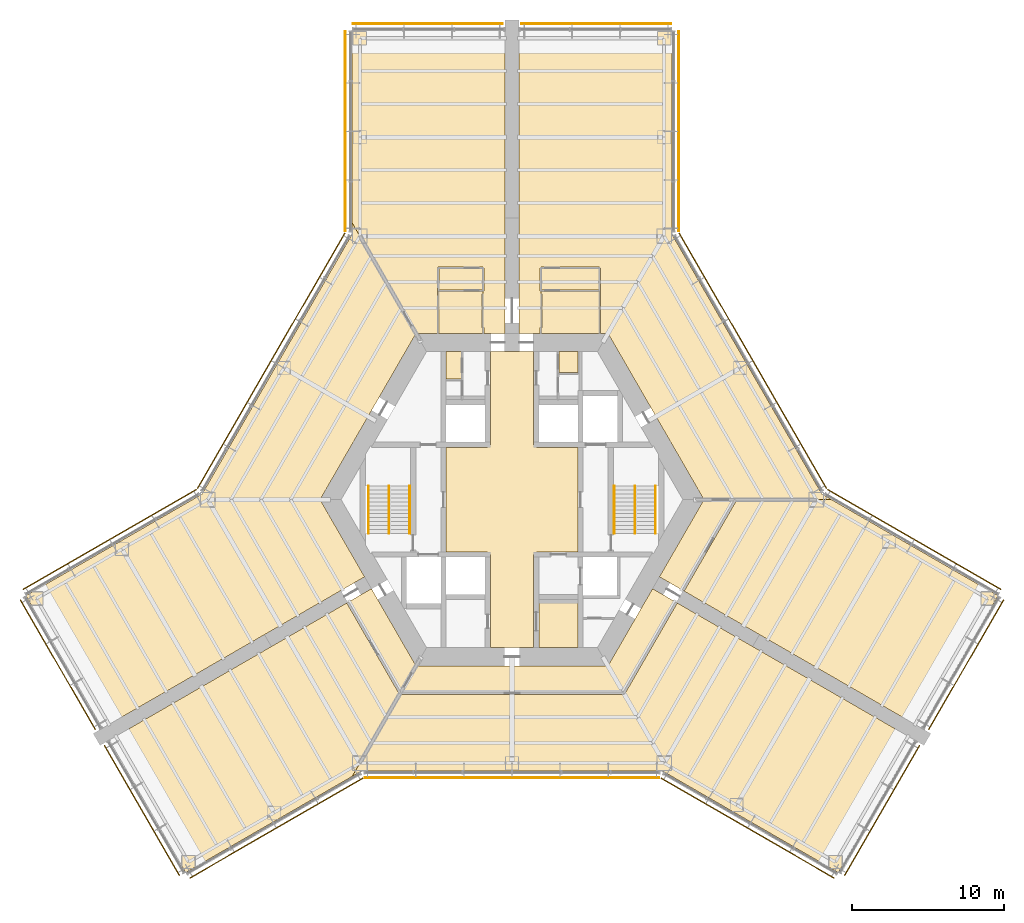
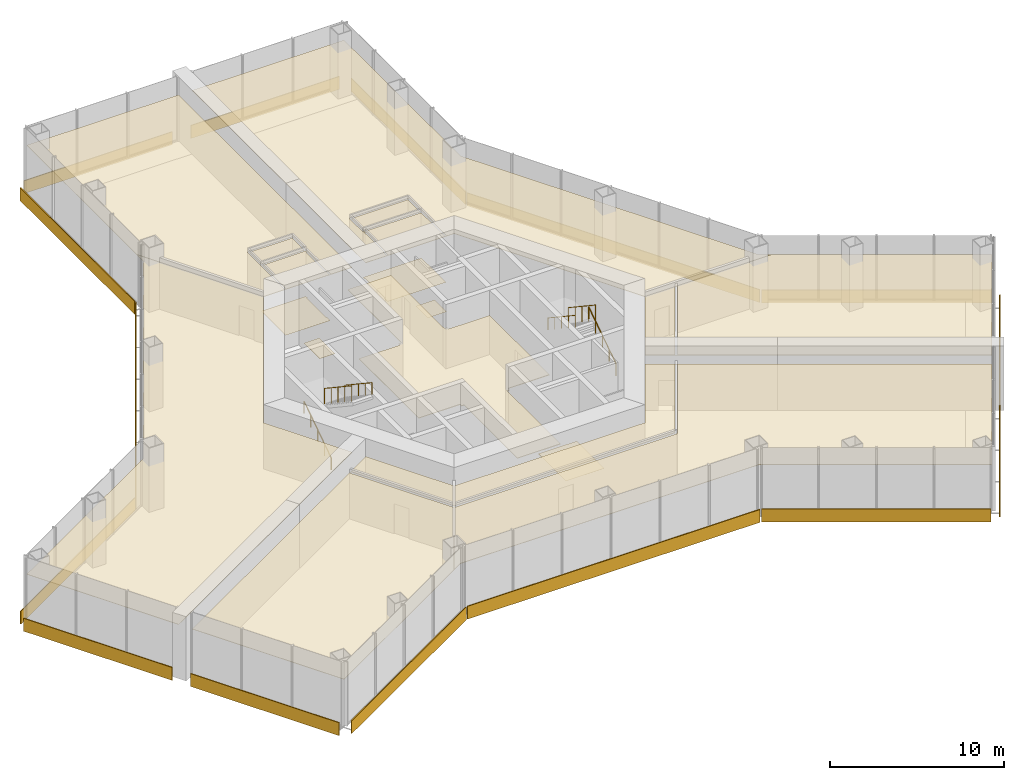
# One storey, part 13 of 13: 19 coverings, 15 shading devices, 6 railings.
"""IFC4 building model written with IfcOpenShell, lengths in metres."""

from ifc_helpers import new_model, si_unit, direction, frame, origin, origin_2d, place, context, subcontext, project, spatial, polyline, rectangle, circle, outline, extrude, material, layer, layer_set, type_object, element, save


model = new_model("IFC4")

# Units and contexts
model_context = context("Model", 3, precision=1e-05, world=origin(), true_north=direction((0.0, 1.0)))
body_context = subcontext(model_context, "Body", "Model", "MODEL_VIEW")
ifc_project = project(units=[si_unit("LENGTHUNIT", "METRE"), si_unit("AREAUNIT", "SQUARE_METRE"), si_unit("VOLUMEUNIT", "CUBIC_METRE"), si_unit("PLANEANGLEUNIT", "RADIAN"), si_unit("MASSUNIT", "GRAM", prefix="KILO")], contexts=[model_context])

# Site, building, storey
site_placement = place(None, origin())
site = spatial("IfcSite", under=ifc_project, at=site_placement, CompositionType="ELEMENT")
building_placement = place(site_placement, origin())
building = spatial("IfcBuilding", under=site, at=building_placement, Name="Kasaneha Research Tower", CompositionType="ELEMENT")
storey_placement = place(building_placement, frame((0.0, 0.0, 5.5)))
storey = spatial("IfcBuildingStorey", under=building, at=storey_placement, Name="L02", CompositionType="ELEMENT", Elevation=5.5)

# Coverings
ifc_material_1 = material(Name="Perforated aluminium acoustic ceiling", Category="aluminium")
ifc_layer_1 = layer(ifc_material_1, 0.030029296875)
ifc_layer_set_1 = layer_set([ifc_layer_1], Name="Acoustic ceiling 30")
covering_type_1 = type_object("IfcCoveringType", Name="Acoustic ceiling 30", PredefinedType="CEILING", material=ifc_layer_set_1)
covering_1_placement = place(storey_placement, frame((0.0, 0.0, 3.199951171875)))
element("IfcCovering", 1, at=covering_1_placement, inside=storey, type_object=covering_type_1, Name="Ceiling L02-28", PredefinedType="CEILING", context=body_context, shape_type="SweptSolid", body=[
    extrude(outline(polyline([(1.89990234375, 10.925048828125), (1.89990234375, 10.945068359375), (1.949951171875, 10.945068359375), (1.949951171875, 11.324951171875), (2.0, 11.324951171875), (2.0, 13.52490234375), (1.949951171875, 13.52490234375), (1.89990234375, 13.52490234375), (1.89990234375, 13.669921875), (5.702392578125, 13.669921875), (5.70703125, 10.94482421875), (5.757080078125, 10.945068359375), (5.757080078125, 10.925048828125), (1.89990234375, 10.925048828125)])), origin(), (0.0, 0.0, 1.0), 0.030029296875),
])
covering_2_placement = place(storey_placement, frame((0.0, 0.0, 3.199951171875)))
element("IfcCovering", 2, at=covering_2_placement, inside=storey, type_object=covering_type_1, Name="Ceiling L02-29", PredefinedType="CEILING", context=body_context, shape_type="SweptSolid", body=[
    extrude(outline(polyline([(5.706787109375, 15.175048828125), (5.702392578125, 13.77001953125), (1.954345703125, 13.77001953125), (1.9501953125, 15.175048828125), (5.706787109375, 15.175048828125)])), origin(), (0.0, 0.0, 1.0), 0.030029296875),
])
covering_3_placement = place(storey_placement, frame((0.0, 0.0, 3.199951171875)))
element("IfcCovering", 3, at=covering_3_placement, inside=storey, type_object=covering_type_1, Name="Ceiling L02-30", PredefinedType="CEILING", context=body_context, shape_type="SweptSolid", body=[
    extrude(outline(polyline([(14.6474609375, 0.0), (14.616943359375, 0.017578125), (14.60693359375, 0.0), (12.614990234375, 0.0), (6.3076171875, 10.925048828125), (5.757568359375, 10.925048828125), (5.757568359375, 10.945068359375), (5.806884765625, 10.945068359375), (5.80224609375, 13.724853515625), (5.806884765625, 15.224853515625), (5.75732421875, 15.22509765625), (5.75732421875, 15.225341796875), (5.757080078125, 15.225341796875), (5.757080078125, 15.27490234375), (1.89990234375, 15.27490234375), (1.89990234375, 15.225341796875), (1.899658203125, 15.225341796875), (1.899658203125, 15.22509765625), (1.85009765625, 15.224853515625), (1.8544921875, 13.724853515625), (1.8994140625, 13.72509765625), (1.8994140625, 13.52490234375), (1.89990234375, 13.52490234375), (1.89990234375, 11.324951171875), (1.8994140625, 11.324951171875), (1.8994140625, 11.324951171875), (1.85009765625, 11.324951171875), (1.85009765625, 10.945068359375), (1.8994140625, 10.945068359375), (1.8994140625, 10.925048828125), (0.449951171875, 10.925048828125), (0.449951171875, 11.625), (0.449951171875, 13.22509765625), (0.449951171875, 30.820556640625), (10.5, 30.820556640625), (10.5, 17.45458984375), (20.365966796875, 0.365966796875), (21.0, 0.0), (14.6474609375, 0.0)])), origin(), (0.0, 0.0, 1.0), 0.030029296875),
])
covering_4_placement = place(storey_placement, frame((0.0, 0.0, 3.199951171875)))
element("IfcCovering", 4, at=covering_4_placement, inside=storey, type_object=covering_type_1, Name="Ceiling L02-31", PredefinedType="CEILING", context=body_context, shape_type="SweptSolid", body=[
    extrude(outline(polyline([(-1.949951171875, 13.52490234375), (-2.0, 13.52490234375), (-2.0, 11.324951171875), (-1.949951171875, 11.324951171875), (-1.949951171875, 10.945068359375), (-1.89990234375, 10.945068359375), (-1.89990234375, 10.925048828125), (-4.85009765625, 10.925048828125), (-4.85009765625, 10.945068359375), (-4.800048828125, 10.94482421875), (-4.79541015625, 13.669921875), (-1.89990234375, 13.669921875), (-1.89990234375, 13.52490234375), (-1.949951171875, 13.52490234375)])), origin(), (0.0, 0.0, 1.0), 0.030029296875),
])
covering_5_placement = place(storey_placement, frame((0.0, 0.0, 3.199951171875)))
element("IfcCovering", 5, at=covering_5_placement, inside=storey, type_object=covering_type_1, Name="Ceiling L02-32", PredefinedType="CEILING", context=body_context, shape_type="SweptSolid", body=[
    extrude(outline(polyline([(-4.7998046875, 15.175048828125), (-1.9501953125, 15.175048828125), (-1.954345703125, 13.77001953125), (-4.79541015625, 13.77001953125), (-4.7998046875, 15.175048828125)])), origin(), (0.0, 0.0, 1.0), 0.030029296875),
])
covering_6_placement = place(storey_placement, frame((0.0, 0.0, 3.199951171875)))
element("IfcCovering", 6, at=covering_6_placement, inside=storey, type_object=covering_type_1, Name="Ceiling L02-33", PredefinedType="CEILING", context=body_context, shape_type="SweptSolid", body=[
    extrude(outline(polyline([(-1.8994140625, 10.925048828125), (-1.8994140625, 10.945068359375), (-1.85009765625, 10.945068359375), (-1.85009765625, 11.324951171875), (-1.8994140625, 11.324951171875), (-1.8994140625, 11.324951171875), (-1.89990234375, 11.324951171875), (-1.89990234375, 13.52490234375), (-1.8994140625, 13.52490234375), (-1.8994140625, 13.72509765625), (-1.8544921875, 13.724853515625), (-1.85009765625, 15.224853515625), (-1.899658203125, 15.22509765625), (-1.899658203125, 15.225341796875), (-1.89990234375, 15.225341796875), (-1.89990234375, 15.27490234375), (-4.85009765625, 15.27490234375), (-4.85009765625, 15.225341796875), (-4.85009765625, 15.225341796875), (-4.85009765625, 15.22509765625), (-4.89990234375, 15.224853515625), (-4.895263671875, 13.724853515625), (-4.89990234375, 10.945068359375), (-4.8505859375, 10.945068359375), (-4.8505859375, 10.925048828125), (-6.3076171875, 10.925048828125), (-10.5, 18.1865234375), (-10.5, 30.820556640625), (-0.449951171875, 30.820556640625), (-0.449951171875, 13.22509765625), (-0.449951171875, 11.625), (-0.449951171875, 10.925048828125), (-1.8994140625, 10.925048828125)])), origin(), (0.0, 0.0, 1.0), 0.030029296875),
])
covering_7_placement = place(storey_placement, frame((0.0, 0.0, 3.199951171875)))
element("IfcCovering", 7, at=covering_7_placement, inside=storey, type_object=covering_type_1, Name="Ceiling L02-34", PredefinedType="CEILING", context=body_context, shape_type="SweptSolid", body=[
    extrude(outline(polyline([(-12.614990234375, 0.0), (-9.686279296875, -5.07275390625), (-9.895263671875, -5.193359375), (-15.9169921875, -8.670166015625), (-26.916259765625, -15.0205078125), (-31.94140625, -6.31689453125), (-20.365966796875, 0.365966796875), (-10.5, 17.45458984375), (-10.5, 18.1865234375), (-6.3076171875, 10.925048828125), (-12.614990234375, 0.0)])), origin(), (0.0, 0.0, 1.0), 0.030029296875),
])
covering_8_placement = place(storey_placement, frame((0.0, 0.0, 3.199951171875)))
element("IfcCovering", 8, at=covering_8_placement, inside=storey, type_object=covering_type_1, Name="Ceiling L02-35", PredefinedType="CEILING", context=body_context, shape_type="SweptSolid", body=[
    extrude(outline(polyline([(-9.236328125, -5.852294921875), (-6.3076171875, -10.925048828125), (-7.303466796875, -12.64990234375), (-10.72021484375, -6.73193359375), (-10.78515625, -6.76953125), (-10.795166015625, -6.752197265625), (-9.236328125, -5.852294921875)])), origin(), (0.0, 0.0, 1.0), 0.030029296875),
])
covering_9_placement = place(storey_placement, frame((0.0, 0.0, 3.199951171875)))
element("IfcCovering", 9, at=covering_9_placement, inside=storey, type_object=covering_type_1, Name="Ceiling L02-36", PredefinedType="CEILING", context=body_context, shape_type="SweptSolid", body=[
    extrude(outline(polyline([(-10.5, -18.1865234375), (-21.44140625, -24.50341796875), (-26.46630859375, -15.800048828125), (-10.795654296875, -6.75244140625), (-10.78564453125, -6.769775390625), (-10.85009765625, -6.806884765625), (-7.42333984375, -12.742431640625), (-7.358642578125, -12.705322265625), (-7.346923828125, -12.725341796875), (-10.5, -18.1865234375)])), origin(), (0.0, 0.0, 1.0), 0.030029296875),
])
covering_10_placement = place(storey_placement, frame((0.0, 0.0, 3.199951171875)))
element("IfcCovering", 10, at=covering_10_placement, inside=storey, type_object=covering_type_1, Name="Ceiling L02-37", PredefinedType="CEILING", context=body_context, shape_type="SweptSolid", body=[
    extrude(outline(polyline([(9.686279296875, -5.07275390625), (12.614990234375, 0.0), (14.60693359375, 0.0), (11.190185546875, -5.91796875), (11.255126953125, -5.95556640625), (11.2451171875, -5.972900390625), (9.686279296875, -5.07275390625)])), origin(), (0.0, 0.0, 1.0), 0.030029296875),
])
covering_11_placement = place(storey_placement, frame((0.0, 0.0, 3.199951171875)))
element("IfcCovering", 11, at=covering_11_placement, inside=storey, type_object=covering_type_1, Name="Ceiling L02-38", PredefinedType="CEILING", context=body_context, shape_type="SweptSolid", body=[
    extrude(outline(polyline([(21.0, 0.0), (31.94140625, -6.31689453125), (26.916259765625, -15.0205078125), (19.51318359375, -10.746337890625), (11.24560546875, -5.97314453125), (11.255615234375, -5.955810546875), (11.320068359375, -5.992919921875), (14.7470703125, -0.0576171875), (14.682373046875, -0.020263671875), (14.694091796875, 0.0), (21.0, 0.0)])), origin(), (0.0, 0.0, 1.0), 0.030029296875),
])
covering_12_placement = place(storey_placement, frame((0.0, 0.0, 3.199951171875)))
element("IfcCovering", 12, at=covering_12_placement, inside=storey, type_object=covering_type_1, Name="Ceiling L02-39", PredefinedType="CEILING", context=body_context, shape_type="SweptSolid", body=[
    extrude(outline(polyline([(-6.3076171875, -10.925048828125), (6.3076171875, -10.925048828125), (9.236328125, -5.852294921875), (10.795166015625, -6.752197265625), (10.78515625, -6.76953125), (10.72021484375, -6.73193359375), (7.303466796875, -12.64990234375), (-7.303466796875, -12.64990234375), (-7.303466796875, -12.64990234375), (-6.3076171875, -10.925048828125)])), origin(), (0.0, 0.0, 1.0), 0.030029296875),
])
covering_13_placement = place(storey_placement, frame((0.0, 0.0, 3.199951171875)))
element("IfcCovering", 13, at=covering_13_placement, inside=storey, type_object=covering_type_1, Name="Ceiling L02-40", PredefinedType="CEILING", context=body_context, shape_type="SweptSolid", body=[
    extrude(outline(polyline([(-7.346923828125, -12.725341796875), (-7.32373046875, -12.725341796875), (-7.32373046875, -12.800048828125), (7.3466796875, -12.800048828125), (7.3466796875, -12.725341796875), (7.346923828125, -12.725341796875), (7.34716796875, -12.72509765625), (7.411865234375, -12.762451171875), (10.85009765625, -6.806884765625), (10.78564453125, -6.769775390625), (10.795654296875, -6.75244140625), (26.46630859375, -15.800048828125), (21.44140625, -24.50341796875), (9.865966796875, -17.820556640625), (-9.865966796875, -17.820556640625), (-10.5, -18.1865234375), (-7.346923828125, -12.725341796875)])), origin(), (0.0, 0.0, 1.0), 0.030029296875),
])
ifc_material_2 = material(Name="Aluminium panel ceiling", Category="aluminium")
ifc_layer_2 = layer(ifc_material_2, 0.0400390625)
ifc_layer_set_2 = layer_set([ifc_layer_2], Name="Lift lobby ceiling 40")
covering_type_2 = type_object("IfcCoveringType", Name="Lift lobby ceiling 40", PredefinedType="CEILING", material=ifc_layer_set_2)
covering_14_placement = place(storey_placement, frame((0.0, 0.0, 2.699951171875)))
element("IfcCovering", 14, at=covering_14_placement, inside=storey, type_object=covering_type_2, Name="Ceiling L02-01", PredefinedType="CEILING", context=body_context, shape_type="SweptSolid", body=[
    extrude(outline(polyline([(1.425048828125, 9.72509765625), (1.425048828125, 3.60009765625), (1.60009765625, 3.60009765625), (1.60009765625, 3.425048828125), (4.324951171875, 3.425048828125), (4.324951171875, -3.425048828125), (1.60009765625, -3.425048828125), (1.60009765625, -3.60009765625), (1.425048828125, -3.60009765625), (1.425048828125, -9.72509765625), (-1.425048828125, -9.72509765625), (-1.425048828125, -3.60009765625), (-1.60009765625, -3.60009765625), (-1.60009765625, -3.425048828125), (-4.324951171875, -3.425048828125), (-4.324951171875, 3.425048828125), (-1.60009765625, 3.425048828125), (-1.60009765625, 3.60009765625), (-1.425048828125, 3.60009765625), (-1.425048828125, 9.72509765625), (1.425048828125, 9.72509765625)])), origin(), (0.0, 0.0, 1.0), 0.0400390625),
])

# Railings
ifc_material_3 = material(Name="Steel", Category="steel")
railing_type_1 = type_object("IfcRailingType", Name="Stair balustrade 1100", PredefinedType="GUARDRAIL", material=ifc_material_3)
for number, where, name in (
    (15, (8.074951171875, 0.89501953125, 2.423095703125), "Stair 1 balustrade L02"),
    (16, (-8.074951171875, 0.89501953125, 2.423095703125), "Stair 2 balustrade L02"),
):
    element("IfcRailing", number, at=place(storey_placement, frame(where)), inside=storey, type_object=railing_type_1, Name=name, PredefinedType="GUARDRAIL", context=body_context, shape_type="SweptSolid", body=[
        extrude(circle(Radius=0.02392578125, at=origin_2d()), frame((0.0, 0.0, 1.076171875), z_axis=(0.0, -0.83244090515, 0.554113832559), x_axis=(1.0, 0.0, 0.0)), (0.0, 0.0, 1.0), 3.748046875),
        extrude(circle(Radius=0.02099609375, at=origin_2d()), origin(), (0.0, 0.0, 1.0), 1.052001953125),
        extrude(circle(Radius=0.02099609375, at=origin_2d()), frame((0.0, -0.780029296875, 0.519287109375)), (0.0, 0.0, 1.0), 1.052001953125),
        extrude(circle(Radius=0.02099609375, at=origin_2d()), frame((0.0, -1.56005859375, 1.03857421875)), (0.0, 0.0, 1.0), 1.052001953125),
        extrude(circle(Radius=0.02099609375, at=origin_2d()), frame((0.0, -2.340087890625, 1.5576171875)), (0.0, 0.0, 1.0), 1.052001953125),
        extrude(circle(Radius=0.02099609375, at=origin_2d()), frame((0.0, -3.1201171875, 2.076904296875)), (0.0, 0.0, 1.0), 1.052001953125),
    ])
ifc_material_4 = material(Name="Steel", Category="steel")
railing_type_2 = type_object("IfcRailingType", Name="Stair handrail 850", PredefinedType="HANDRAIL", material=ifc_material_4)
railing_1_placement = place(storey_placement, frame((9.425048828125, -2.22509765625, 0.173095703125)))
element("IfcRailing", 17, at=railing_1_placement, inside=storey, type_object=railing_type_2, Name="Stair 1 handrail L02", PredefinedType="HANDRAIL", context=body_context, shape_type="SweptSolid", body=[
    extrude(circle(Radius=0.02392578125, at=origin_2d()), frame((0.0, 0.0, 0.826171875), z_axis=(0.0, 0.83244090515, 0.554113832559), x_axis=(-1.0, 0.0, 0.0)), (0.0, 0.0, 1.0), 3.748046875),
    extrude(circle(Radius=0.02099609375, at=origin_2d()), origin(), (0.0, 0.0, 1.0), 0.802001953125),
    extrude(circle(Radius=0.02099609375, at=origin_2d()), frame((0.0, 0.780029296875, 0.519287109375)), (0.0, 0.0, 1.0), 0.802001953125),
    extrude(circle(Radius=0.02099609375, at=origin_2d()), frame((0.0, 1.56005859375, 1.03857421875)), (0.0, 0.0, 1.0), 0.802001953125),
    extrude(circle(Radius=0.02099609375, at=origin_2d()), frame((0.0, 2.340087890625, 1.5576171875)), (0.0, 0.0, 1.0), 0.802001953125),
    extrude(circle(Radius=0.02099609375, at=origin_2d()), frame((0.0, 3.1201171875, 2.076904296875)), (0.0, 0.0, 1.0), 0.802001953125),
])
railing_2_placement = place(storey_placement, frame((6.72509765625, 0.89501953125, 2.423095703125)))
element("IfcRailing", 18, at=railing_2_placement, inside=storey, type_object=railing_type_2, Name="Stair 1 handrail L02", PredefinedType="HANDRAIL", context=body_context, shape_type="SweptSolid", body=[
    extrude(circle(Radius=0.02392578125, at=origin_2d()), frame((0.0, 0.0, 0.826171875), z_axis=(0.0, -0.83244090515, 0.554113832559), x_axis=(1.0, 0.0, 0.0)), (0.0, 0.0, 1.0), 3.748046875),
    extrude(circle(Radius=0.02099609375, at=origin_2d()), origin(), (0.0, 0.0, 1.0), 0.802001953125),
    extrude(circle(Radius=0.02099609375, at=origin_2d()), frame((0.0, -0.780029296875, 0.519287109375)), (0.0, 0.0, 1.0), 0.802001953125),
    extrude(circle(Radius=0.02099609375, at=origin_2d()), frame((0.0, -1.56005859375, 1.03857421875)), (0.0, 0.0, 1.0), 0.802001953125),
    extrude(circle(Radius=0.02099609375, at=origin_2d()), frame((0.0, -2.340087890625, 1.5576171875)), (0.0, 0.0, 1.0), 0.802001953125),
    extrude(circle(Radius=0.02099609375, at=origin_2d()), frame((0.0, -3.1201171875, 2.076904296875)), (0.0, 0.0, 1.0), 0.802001953125),
])
railing_3_placement = place(storey_placement, frame((-9.425048828125, -2.22509765625, 0.173095703125)))
element("IfcRailing", 19, at=railing_3_placement, inside=storey, type_object=railing_type_2, Name="Stair 2 handrail L02", PredefinedType="HANDRAIL", context=body_context, shape_type="SweptSolid", body=[
    extrude(circle(Radius=0.02392578125, at=origin_2d()), frame((0.0, 0.0, 0.826171875), z_axis=(0.0, 0.83244090515, 0.554113832559), x_axis=(-1.0, 0.0, 0.0)), (0.0, 0.0, 1.0), 3.748046875),
    extrude(circle(Radius=0.02099609375, at=origin_2d()), origin(), (0.0, 0.0, 1.0), 0.802001953125),
    extrude(circle(Radius=0.02099609375, at=origin_2d()), frame((0.0, 0.780029296875, 0.519287109375)), (0.0, 0.0, 1.0), 0.802001953125),
    extrude(circle(Radius=0.02099609375, at=origin_2d()), frame((0.0, 1.56005859375, 1.03857421875)), (0.0, 0.0, 1.0), 0.802001953125),
    extrude(circle(Radius=0.02099609375, at=origin_2d()), frame((0.0, 2.340087890625, 1.5576171875)), (0.0, 0.0, 1.0), 0.802001953125),
    extrude(circle(Radius=0.02099609375, at=origin_2d()), frame((0.0, 3.1201171875, 2.076904296875)), (0.0, 0.0, 1.0), 0.802001953125),
])
railing_4_placement = place(storey_placement, frame((-6.72509765625, 0.89501953125, 2.423095703125)))
element("IfcRailing", 20, at=railing_4_placement, inside=storey, type_object=railing_type_2, Name="Stair 2 handrail L02", PredefinedType="HANDRAIL", context=body_context, shape_type="SweptSolid", body=[
    extrude(circle(Radius=0.02392578125, at=origin_2d()), frame((0.0, 0.0, 0.826171875), z_axis=(0.0, -0.83244090515, 0.554113832559), x_axis=(1.0, 0.0, 0.0)), (0.0, 0.0, 1.0), 3.748046875),
    extrude(circle(Radius=0.02099609375, at=origin_2d()), origin(), (0.0, 0.0, 1.0), 0.802001953125),
    extrude(circle(Radius=0.02099609375, at=origin_2d()), frame((0.0, -0.780029296875, 0.519287109375)), (0.0, 0.0, 1.0), 0.802001953125),
    extrude(circle(Radius=0.02099609375, at=origin_2d()), frame((0.0, -1.56005859375, 1.03857421875)), (0.0, 0.0, 1.0), 0.802001953125),
    extrude(circle(Radius=0.02099609375, at=origin_2d()), frame((0.0, -2.340087890625, 1.5576171875)), (0.0, 0.0, 1.0), 0.802001953125),
    extrude(circle(Radius=0.02099609375, at=origin_2d()), frame((0.0, -3.1201171875, 2.076904296875)), (0.0, 0.0, 1.0), 0.802001953125),
])

# Shading devices
ifc_material_5 = material(Name="Terracotta", Category="masonry")
ifc_layer_3 = layer(ifc_material_5, 0.06005859375)
ifc_layer_set_3 = layer_set([ifc_layer_3], Name="Terracotta baguette screen")
shading_device_type = type_object("IfcShadingDeviceType", Name="Terracotta baguette screen", PredefinedType="USERDEFINED", material=ifc_layer_set_3)
shading_device_1_placement = place(storey_placement, frame((-15.483642578125, -21.58349609375, -0.449951171875), z_axis=(0.0, 0.0, 1.0), x_axis=(0.866025411464, 0.499999986699, 0.0)))
element("IfcShadingDevice", 21, at=shading_device_1_placement, inside=storey, type_object=shading_device_type, Name="Baguette screen L02 01", ObjectType="TERRACOTTA BAGUETTE SCREEN", PredefinedType="USERDEFINED", context=body_context, shape_type="SweptSolid", body=[
    extrude(rectangle(XDim=13.13916015625, YDim=0.06005859375, at=origin_2d()), origin(), (0.0, 0.0, 1.0), 0.89990234375),
])
shading_device_2_placement = place(storey_placement, frame((0.0, -18.2705078125, -0.449951171875), z_axis=(0.0, 0.0, 1.0), x_axis=(1.0, 0.0, 0.0)))
element("IfcShadingDevice", 22, at=shading_device_2_placement, inside=storey, type_object=shading_device_type, Name="Baguette screen L02 02", ObjectType="TERRACOTTA BAGUETTE SCREEN", PredefinedType="USERDEFINED", context=body_context, shape_type="SweptSolid", body=[
    extrude(rectangle(XDim=19.37841796875, YDim=0.06005859375, at=origin_2d()), origin(), (0.0, 0.0, 1.0), 0.89990234375),
])
shading_device_3_placement = place(storey_placement, frame((15.483642578125, -21.58349609375, -0.449951171875), z_axis=(0.0, 0.0, 1.0), x_axis=(0.866025411464, -0.499999986699, 0.0)))
element("IfcShadingDevice", 23, at=shading_device_3_placement, inside=storey, type_object=shading_device_type, Name="Baguette screen L02 03", ObjectType="TERRACOTTA BAGUETTE SCREEN", PredefinedType="USERDEFINED", context=body_context, shape_type="SweptSolid", body=[
    extrude(rectangle(XDim=13.13916015625, YDim=0.06005859375, at=origin_2d()), origin(), (0.0, 0.0, 1.0), 0.89990234375),
])
for number, where, z_axis, x_axis, name in (
    (24, (24.318603515625, -20.420166015625, -0.449951171875), (0.0, 0.0, 1.0), (0.500000011442, 0.866025397178, 0.0), "Baguette screen L02 04"),
    (25, (29.843505859375, -10.850341796875, -0.449951171875), (0.0, 0.0, 1.0), (0.500000011442, 0.866025397178, 0.0), "Baguette screen L02 05"),
):
    element("IfcShadingDevice", number, at=place(storey_placement, frame(where, z_axis=z_axis, x_axis=x_axis)), inside=storey, type_object=shading_device_type, Name=name, ObjectType="TERRACOTTA BAGUETTE SCREEN", PredefinedType="USERDEFINED", context=body_context, shape_type="SweptSolid", body=[
        extrude(rectangle(XDim=9.85009765625, YDim=0.06005859375, at=origin_2d()), origin(), (0.0, 0.0, 1.0), 0.89990234375),
    ])
shading_device_4_placement = place(storey_placement, frame((26.43359375, -2.617431640625, -0.449951171875), z_axis=(0.0, 0.0, 1.0), x_axis=(-0.866025411464, 0.499999986699, 0.0)))
element("IfcShadingDevice", 26, at=shading_device_4_placement, inside=storey, type_object=shading_device_type, Name="Baguette screen L02 06", ObjectType="TERRACOTTA BAGUETTE SCREEN", PredefinedType="USERDEFINED", context=body_context, shape_type="SweptSolid", body=[
    extrude(rectangle(XDim=13.13916015625, YDim=0.06005859375, at=origin_2d()), origin(), (0.0, 0.0, 1.0), 0.89990234375),
])
shading_device_5_placement = place(storey_placement, frame((15.82275390625, 9.13525390625, -0.449951171875), z_axis=(0.0, 0.0, 1.0), x_axis=(-0.49999996188, 0.866025425793, 0.0)))
element("IfcShadingDevice", 27, at=shading_device_5_placement, inside=storey, type_object=shading_device_type, Name="Baguette screen L02 07", ObjectType="TERRACOTTA BAGUETTE SCREEN", PredefinedType="USERDEFINED", context=body_context, shape_type="SweptSolid", body=[
    extrude(rectangle(XDim=19.37841796875, YDim=0.06005859375, at=origin_2d()), origin(), (0.0, 0.0, 1.0), 0.89990234375),
])
shading_device_6_placement = place(storey_placement, frame((10.949951171875, 24.200927734375, -0.449951171875), z_axis=(0.0, 0.0, 1.0), x_axis=(0.0, 1.0, 0.0)))
element("IfcShadingDevice", 28, at=shading_device_6_placement, inside=storey, type_object=shading_device_type, Name="Baguette screen L02 08", ObjectType="TERRACOTTA BAGUETTE SCREEN", PredefinedType="USERDEFINED", context=body_context, shape_type="SweptSolid", body=[
    extrude(rectangle(XDim=13.13916015625, YDim=0.06005859375, at=origin_2d()), origin(), (0.0, 0.0, 1.0), 0.89990234375),
])
for number, where, z_axis, x_axis, name in (
    (29, (5.52490234375, 31.2705078125, -0.449951171875), (0.0, 0.0, 1.0), (-1.0, 0.0, 0.0), "Baguette screen L02 09"),
    (30, (-5.52490234375, 31.2705078125, -0.449951171875), (0.0, 0.0, 1.0), (-1.0, 0.0, 0.0), "Baguette screen L02 10"),
):
    element("IfcShadingDevice", number, at=place(storey_placement, frame(where, z_axis=z_axis, x_axis=x_axis)), inside=storey, type_object=shading_device_type, Name=name, ObjectType="TERRACOTTA BAGUETTE SCREEN", PredefinedType="USERDEFINED", context=body_context, shape_type="SweptSolid", body=[
        extrude(rectangle(XDim=9.85009765625, YDim=0.06005859375, at=origin_2d()), origin(), (0.0, 0.0, 1.0), 0.89990234375),
    ])
shading_device_7_placement = place(storey_placement, frame((-10.949951171875, 24.200927734375, -0.449951171875), z_axis=(0.0, 0.0, 1.0), x_axis=(0.0, -1.0, 0.0)))
element("IfcShadingDevice", 31, at=shading_device_7_placement, inside=storey, type_object=shading_device_type, Name="Baguette screen L02 11", ObjectType="TERRACOTTA BAGUETTE SCREEN", PredefinedType="USERDEFINED", context=body_context, shape_type="SweptSolid", body=[
    extrude(rectangle(XDim=13.13916015625, YDim=0.06005859375, at=origin_2d()), origin(), (0.0, 0.0, 1.0), 0.89990234375),
])
shading_device_8_placement = place(storey_placement, frame((-15.82275390625, 9.13525390625, -0.449951171875), z_axis=(0.0, 0.0, 1.0), x_axis=(-0.49999996188, -0.866025425793, 0.0)))
element("IfcShadingDevice", 32, at=shading_device_8_placement, inside=storey, type_object=shading_device_type, Name="Baguette screen L02 12", ObjectType="TERRACOTTA BAGUETTE SCREEN", PredefinedType="USERDEFINED", context=body_context, shape_type="SweptSolid", body=[
    extrude(rectangle(XDim=19.37841796875, YDim=0.06005859375, at=origin_2d()), origin(), (0.0, 0.0, 1.0), 0.89990234375),
])
shading_device_9_placement = place(storey_placement, frame((-26.43359375, -2.617431640625, -0.449951171875), z_axis=(0.0, 0.0, 1.0), x_axis=(-0.866025411464, -0.499999986699, 0.0)))
element("IfcShadingDevice", 33, at=shading_device_9_placement, inside=storey, type_object=shading_device_type, Name="Baguette screen L02 13", ObjectType="TERRACOTTA BAGUETTE SCREEN", PredefinedType="USERDEFINED", context=body_context, shape_type="SweptSolid", body=[
    extrude(rectangle(XDim=13.13916015625, YDim=0.06005859375, at=origin_2d()), origin(), (0.0, 0.0, 1.0), 0.89990234375),
])
for number, where, z_axis, x_axis, name in (
    (34, (-29.843505859375, -10.850341796875, -0.449951171875), (0.0, 0.0, 1.0), (0.500000011442, -0.866025397178, 0.0), "Baguette screen L02 14"),
    (35, (-24.318603515625, -20.420166015625, -0.449951171875), (0.0, 0.0, 1.0), (0.500000011442, -0.866025397178, 0.0), "Baguette screen L02 15"),
):
    element("IfcShadingDevice", number, at=place(storey_placement, frame(where, z_axis=z_axis, x_axis=x_axis)), inside=storey, type_object=shading_device_type, Name=name, ObjectType="TERRACOTTA BAGUETTE SCREEN", PredefinedType="USERDEFINED", context=body_context, shape_type="SweptSolid", body=[
        extrude(rectangle(XDim=9.85009765625, YDim=0.06005859375, at=origin_2d()), origin(), (0.0, 0.0, 1.0), 0.89990234375),
    ])

# Coverings
ifc_material_6 = material(Name="Vinyl sheet flooring", Category="plastic")
ifc_layer_4 = layer(ifc_material_6, 0.0048828125)
ifc_layer_set_4 = layer_set([ifc_layer_4], Name="Wet room sheet flooring 5")
covering_type_3 = type_object("IfcCoveringType", Name="Wet room sheet flooring 5", PredefinedType="FLOORING", material=ifc_layer_set_4)
covering_15_placement = place(storey_placement, origin())
element("IfcCovering", 36, at=covering_15_placement, inside=storey, type_object=covering_type_3, Name="Floor finish L02-07", PredefinedType="FLOORING", context=body_context, shape_type="SweptSolid", body=[
    extrude(outline(polyline([(-4.324951171875, 7.925048828125), (-4.324951171875, 9.72509765625), (-3.324951171875, 9.72509765625), (-3.324951171875, 7.925048828125), (-4.324951171875, 7.925048828125)])), origin(), (0.0, 0.0, 1.0), 0.0048828125),
])
covering_16_placement = place(storey_placement, origin())
element("IfcCovering", 37, at=covering_16_placement, inside=storey, type_object=covering_type_3, Name="Floor finish L02-10", PredefinedType="FLOORING", context=body_context, shape_type="SweptSolid", body=[
    extrude(outline(polyline([(4.324951171875, 8.35498046875), (3.074951171875, 8.35498046875), (3.074951171875, 9.72509765625), (4.324951171875, 9.72509765625), (4.324951171875, 8.35498046875)])), origin(), (0.0, 0.0, 1.0), 0.0048828125),
])
covering_17_placement = place(storey_placement, origin())
element("IfcCovering", 38, at=covering_17_placement, inside=storey, type_object=covering_type_3, Name="Floor finish L02-13", PredefinedType="FLOORING", context=body_context, shape_type="SweptSolid", body=[
    extrude(outline(polyline([(1.77490234375, -9.72509765625), (1.77490234375, -6.574951171875), (4.324951171875, -6.574951171875), (4.324951171875, -9.72509765625), (1.77490234375, -9.72509765625)])), origin(), (0.0, 0.0, 1.0), 0.0048828125),
])
covering_18_placement = place(storey_placement, origin())
element("IfcCovering", 39, at=covering_18_placement, inside=storey, type_object=covering_type_3, Name="Floor finish L02-28", PredefinedType="FLOORING", context=body_context, shape_type="SweptSolid", body=[
    extrude(outline(polyline([(5.757080078125, 13.72509765625), (5.757080078125, 10.925048828125), (1.89990234375, 10.925048828125), (1.89990234375, 11.324951171875), (1.949951171875, 11.324951171875), (1.949951171875, 13.52490234375), (1.89990234375, 13.52490234375), (1.89990234375, 13.72509765625), (5.757080078125, 13.72509765625)])), origin(), (0.0, 0.0, 1.0), 0.0048828125),
])
covering_19_placement = place(storey_placement, origin())
element("IfcCovering", 40, at=covering_19_placement, inside=storey, type_object=covering_type_3, Name="Floor finish L02-31", PredefinedType="FLOORING", context=body_context, shape_type="SweptSolid", body=[
    extrude(outline(polyline([(-1.89990234375, 13.72509765625), (-1.89990234375, 13.52490234375), (-1.949951171875, 13.52490234375), (-1.949951171875, 11.324951171875), (-1.89990234375, 11.324951171875), (-1.89990234375, 10.925048828125), (-4.85009765625, 10.925048828125), (-4.85009765625, 13.72509765625), (-1.89990234375, 13.72509765625)])), origin(), (0.0, 0.0, 1.0), 0.0048828125),
])

save(model, "model.ifc")
